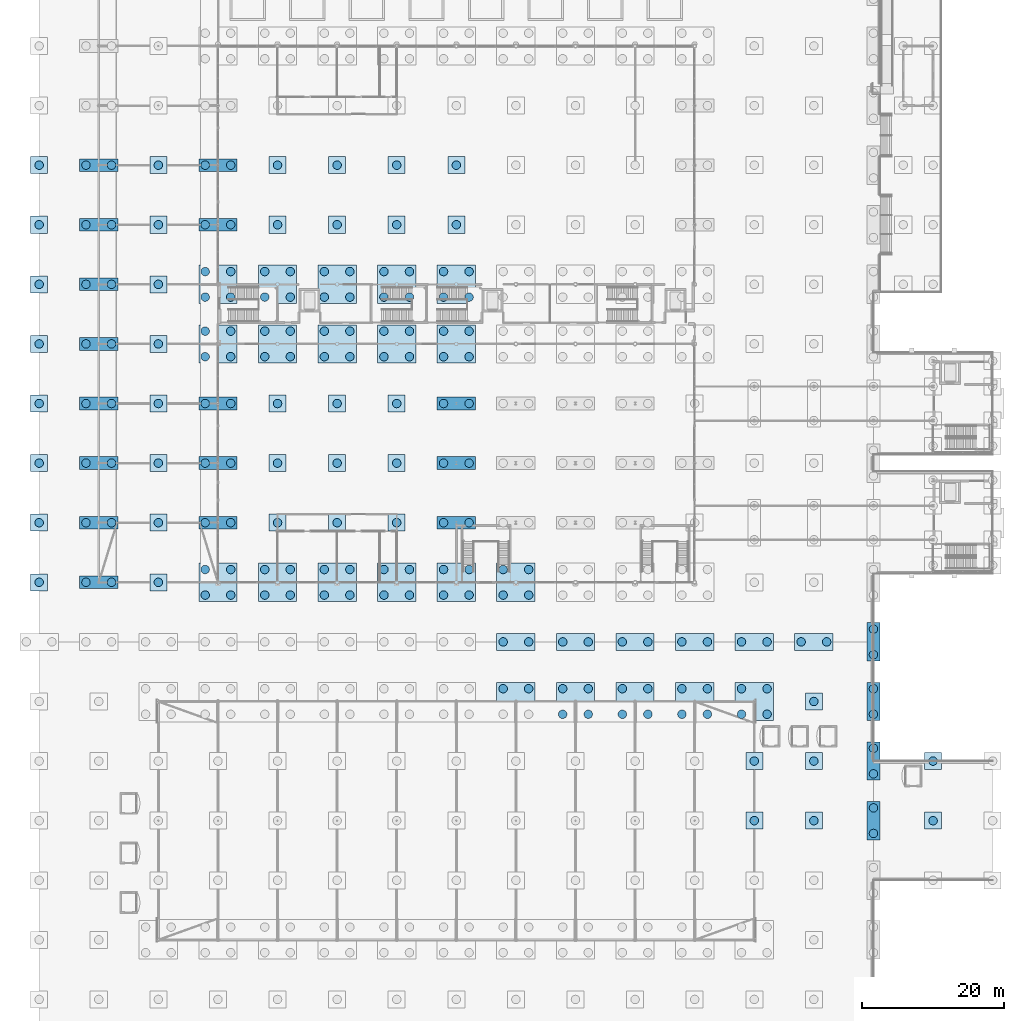
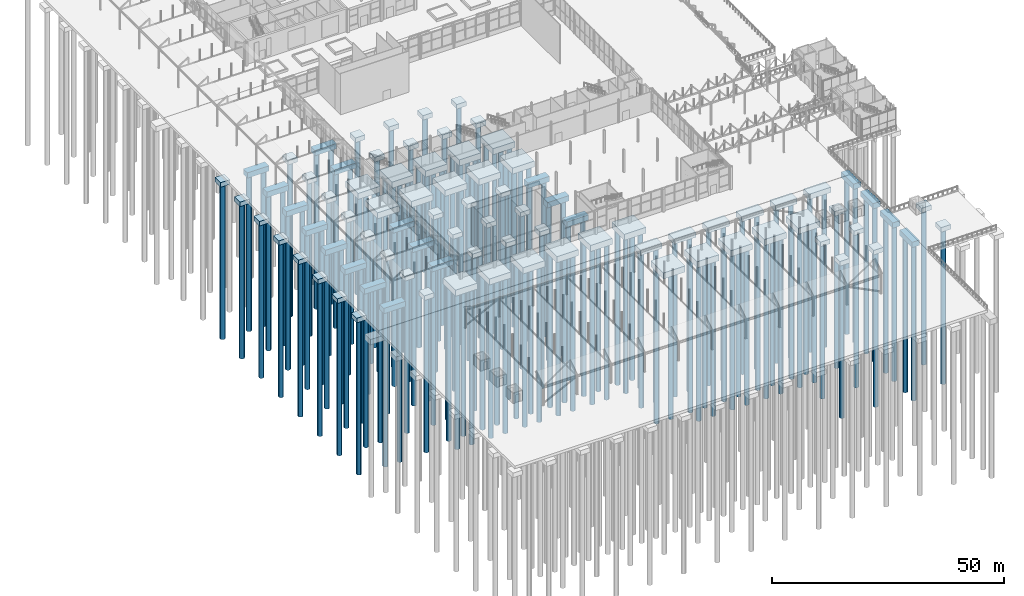
# One storey, part 2 of 212: 174 piles, 87 footings.
"""IFC4 building model written with IfcOpenShell, lengths in metres."""

from ifc_helpers import new_model, si_unit, direction, frame, origin, origin_2d, place, context, subcontext, project, spatial, rectangle, circle, extrude, material, material_profile, profile_set, type_object, element, save


model = new_model("IFC4")

# Units and contexts
model_context = context("Model", 3, precision=1e-05, world=origin(), true_north=direction((0.0, 1.0)))
body_context = subcontext(model_context, "Body", "Model", "MODEL_VIEW")
ifc_project = project(units=[si_unit("LENGTHUNIT", "METRE"), si_unit("AREAUNIT", "SQUARE_METRE"), si_unit("VOLUMEUNIT", "CUBIC_METRE"), si_unit("PLANEANGLEUNIT", "RADIAN"), si_unit("MASSUNIT", "GRAM", prefix="KILO")], contexts=[model_context])

# Site, building, storey
site_placement = place(None, origin())
site = spatial("IfcSite", under=ifc_project, at=site_placement, CompositionType="ELEMENT")
building_placement = place(site_placement, origin())
building = spatial("IfcBuilding", under=site, at=building_placement, Name="Catenary Quay Ferry Terminal", CompositionType="ELEMENT")
storey_placement = place(building_placement, origin())
storey = spatial("IfcBuildingStorey", under=building, at=storey_placement, Name="L00", CompositionType="ELEMENT", Elevation=0.0)

# Piles
ifc_material_1 = material(Name="Concrete C35/45", Category="concrete")
ifc_material_profile = material_profile(ifc_material_1, circle(Radius=0.60009765625, at=origin_2d()), Name="D1200")
ifc_profile_set = profile_set([ifc_material_profile], Name="Concrete C35/45")
pile_type = type_object("IfcPileType", Name="Bored pile D1200", PredefinedType="BORED", material=ifc_profile_set)
for number, where, z_axis, x_axis, name in (
    (1, (100.800048828125, 33.60009765625, -1.89990234375), (0.0, 0.0, -1.0), (1.0, 0.0, 0.0), "Pile PC1-M5/1"),
    (2, (109.199951171875, 33.60009765625, -1.89990234375), (0.0, 0.0, -1.0), (1.0, 0.0, 0.0), "Pile PC1-N5/1"),
    (3, (117.60009765625, 31.800048828125, -2.10009765625), (0.0, 0.0, -1.0), (1.0, 0.0, 0.0), "Pile PC2-O5/1"),
    (4, (117.60009765625, 35.39990234375, -2.10009765625), (0.0, 0.0, -1.0), (1.0, 0.0, 0.0), "Pile PC2-O5/2"),
    (5, (100.800048828125, 42.0, -1.89990234375), (0.0, 0.0, -1.0), (1.0, 0.0, 0.0), "Pile PC1-M6/1"),
    (6, (109.199951171875, 42.0, -1.89990234375), (0.0, 0.0, -1.0), (1.0, 0.0, 0.0), "Pile PC1-N6/1"),
    (7, (117.60009765625, 40.199951171875, -2.10009765625), (0.0, 0.0, -1.0), (1.0, 0.0, 0.0), "Pile PC2-O6/1"),
    (8, (117.60009765625, 43.800048828125, -2.10009765625), (0.0, 0.0, -1.0), (1.0, 0.0, 0.0), "Pile PC2-O6/2"),
    (9, (65.39990234375, 52.199951171875, -2.300048828125), (0.0, 0.0, -1.0), (1.0, 0.0, 0.0), "Pile PC4-I7/3"),
    (10, (69.0, 52.199951171875, -2.300048828125), (0.0, 0.0, -1.0), (1.0, 0.0, 0.0), "Pile PC4-I7/4"),
    (11, (73.800048828125, 48.60009765625, -2.300048828125), (0.0, 0.0, -1.0), (1.0, 0.0, 0.0), "Pile PC4-J7/1"),
    (12, (77.39990234375, 48.60009765625, -2.300048828125), (0.0, 0.0, -1.0), (1.0, 0.0, 0.0), "Pile PC4-J7/2"),
    (13, (73.800048828125, 52.199951171875, -2.300048828125), (0.0, 0.0, -1.0), (1.0, 0.0, 0.0), "Pile PC4-J7/3"),
    (14, (77.39990234375, 52.199951171875, -2.300048828125), (0.0, 0.0, -1.0), (1.0, 0.0, 0.0), "Pile PC4-J7/4"),
    (15, (82.199951171875, 48.60009765625, -2.300048828125), (0.0, 0.0, -1.0), (1.0, 0.0, 0.0), "Pile PC4-K7/1"),
    (16, (85.800048828125, 48.60009765625, -2.300048828125), (0.0, 0.0, -1.0), (1.0, 0.0, 0.0), "Pile PC4-K7/2"),
    (17, (82.199951171875, 52.199951171875, -2.300048828125), (0.0, 0.0, -1.0), (1.0, 0.0, 0.0), "Pile PC4-K7/3"),
    (18, (85.800048828125, 52.199951171875, -2.300048828125), (0.0, 0.0, -1.0), (1.0, 0.0, 0.0), "Pile PC4-K7/4"),
    (19, (90.60009765625, 48.60009765625, -2.300048828125), (0.0, 0.0, -1.0), (1.0, 0.0, 0.0), "Pile PC4-L7/1"),
    (20, (94.199951171875, 48.60009765625, -2.300048828125), (0.0, 0.0, -1.0), (1.0, 0.0, 0.0), "Pile PC4-L7/2"),
    (21, (90.60009765625, 52.199951171875, -2.300048828125), (0.0, 0.0, -1.0), (1.0, 0.0, 0.0), "Pile PC4-L7/3"),
    (22, (94.199951171875, 52.199951171875, -2.300048828125), (0.0, 0.0, -1.0), (1.0, 0.0, 0.0), "Pile PC4-L7/4"),
    (23, (99.0, 48.60009765625, -2.300048828125), (0.0, 0.0, -1.0), (1.0, 0.0, 0.0), "Pile PC4-M7/1"),
    (24, (102.60009765625, 48.60009765625, -2.300048828125), (0.0, 0.0, -1.0), (1.0, 0.0, 0.0), "Pile PC4-M7/2"),
    (25, (99.0, 52.199951171875, -2.300048828125), (0.0, 0.0, -1.0), (1.0, 0.0, 0.0), "Pile PC4-M7/3"),
    (26, (102.60009765625, 52.199951171875, -2.300048828125), (0.0, 0.0, -1.0), (1.0, 0.0, 0.0), "Pile PC4-M7/4"),
    (27, (109.199951171875, 50.39990234375, -1.89990234375), (0.0, 0.0, -1.0), (1.0, 0.0, 0.0), "Pile PC1-N7/1"),
    (28, (117.60009765625, 48.60009765625, -2.10009765625), (0.0, 0.0, -1.0), (1.0, 0.0, 0.0), "Pile PC2-O7/1"),
    (29, (117.60009765625, 52.199951171875, -2.10009765625), (0.0, 0.0, -1.0), (1.0, 0.0, 0.0), "Pile PC2-O7/2"),
    (30, (65.39990234375, 58.800048828125, -2.10009765625), (0.0, 0.0, -1.0), (1.0, 0.0, 0.0), "Pile PC2J-I8/1"),
    (31, (69.0, 58.800048828125, -2.10009765625), (0.0, 0.0, -1.0), (1.0, 0.0, 0.0), "Pile PC2J-I8/2"),
    (32, (73.800048828125, 58.800048828125, -2.10009765625), (0.0, 0.0, -1.0), (1.0, 0.0, 0.0), "Pile PC2J-J8/1"),
    (33, (77.39990234375, 58.800048828125, -2.10009765625), (0.0, 0.0, -1.0), (1.0, 0.0, 0.0), "Pile PC2J-J8/2"),
    (34, (82.199951171875, 58.800048828125, -2.10009765625), (0.0, 0.0, -1.0), (1.0, 0.0, 0.0), "Pile PC2J-K8/1"),
    (35, (85.800048828125, 58.800048828125, -2.10009765625), (0.0, 0.0, -1.0), (1.0, 0.0, 0.0), "Pile PC2J-K8/2"),
    (36, (90.60009765625, 58.800048828125, -2.10009765625), (0.0, 0.0, -1.0), (1.0, 0.0, 0.0), "Pile PC2J-L8/1"),
    (37, (94.199951171875, 58.800048828125, -2.10009765625), (0.0, 0.0, -1.0), (1.0, 0.0, 0.0), "Pile PC2J-L8/2"),
    (38, (99.0, 58.800048828125, -2.10009765625), (0.0, 0.0, -1.0), (1.0, 0.0, 0.0), "Pile PC2J-M8/1"),
    (39, (102.60009765625, 58.800048828125, -2.10009765625), (0.0, 0.0, -1.0), (1.0, 0.0, 0.0), "Pile PC2J-M8/2"),
    (40, (107.39990234375, 58.800048828125, -2.10009765625), (0.0, 0.0, -1.0), (1.0, 0.0, 0.0), "Pile PC2J-N8/1"),
    (41, (111.0, 58.800048828125, -2.10009765625), (0.0, 0.0, -1.0), (1.0, 0.0, 0.0), "Pile PC2J-N8/2"),
    (42, (117.60009765625, 57.0, -2.10009765625), (0.0, 0.0, -1.0), (1.0, 0.0, 0.0), "Pile PC2-O8/1"),
    (43, (117.60009765625, 60.60009765625, -2.10009765625), (0.0, 0.0, -1.0), (1.0, 0.0, 0.0), "Pile PC2-O8/2"),
    (44, (0.0, 67.199951171875, -1.89990234375), (0.0, 0.0, -1.0), (1.0, 0.0, 0.0), "Pile PC1-A9/1"),
    (45, (6.60009765625, 67.199951171875, -2.10009765625), (0.0, 0.0, -1.0), (1.0, 0.0, 0.0), "Pile PC2-B9/1"),
    (46, (10.199951171875, 67.199951171875, -2.10009765625), (0.0, 0.0, -1.0), (1.0, 0.0, 0.0), "Pile PC2-B9/2"),
    (47, (16.800048828125, 67.199951171875, -1.89990234375), (0.0, 0.0, -1.0), (1.0, 0.0, 0.0), "Pile PC1-C9/1"),
    (48, (23.39990234375, 65.39990234375, -2.300048828125), (0.0, 0.0, -1.0), (1.0, 0.0, 0.0), "Pile PC4-D9/1"),
    (49, (27.0, 65.39990234375, -2.300048828125), (0.0, 0.0, -1.0), (1.0, 0.0, 0.0), "Pile PC4-D9/2"),
    (50, (23.39990234375, 69.0, -2.300048828125), (0.0, 0.0, -1.0), (1.0, 0.0, 0.0), "Pile PC4-D9/3"),
    (51, (27.0, 69.0, -2.300048828125), (0.0, 0.0, -1.0), (1.0, 0.0, 0.0), "Pile PC4-D9/4"),
    (52, (31.800048828125, 65.39990234375, -2.300048828125), (0.0, 0.0, -1.0), (1.0, 0.0, 0.0), "Pile PC4-E9/1"),
    (53, (35.39990234375, 65.39990234375, -2.300048828125), (0.0, 0.0, -1.0), (1.0, 0.0, 0.0), "Pile PC4-E9/2"),
    (54, (31.800048828125, 69.0, -2.300048828125), (0.0, 0.0, -1.0), (1.0, 0.0, 0.0), "Pile PC4-E9/3"),
    (55, (35.39990234375, 69.0, -2.300048828125), (0.0, 0.0, -1.0), (1.0, 0.0, 0.0), "Pile PC4-E9/4"),
    (56, (40.199951171875, 65.39990234375, -2.300048828125), (0.0, 0.0, -1.0), (1.0, 0.0, 0.0), "Pile PC4-F9/1"),
    (57, (43.800048828125, 65.39990234375, -2.300048828125), (0.0, 0.0, -1.0), (1.0, 0.0, 0.0), "Pile PC4-F9/2"),
    (58, (40.199951171875, 69.0, -2.300048828125), (0.0, 0.0, -1.0), (1.0, 0.0, 0.0), "Pile PC4-F9/3"),
    (59, (43.800048828125, 69.0, -2.300048828125), (0.0, 0.0, -1.0), (1.0, 0.0, 0.0), "Pile PC4-F9/4"),
    (60, (48.60009765625, 65.39990234375, -2.300048828125), (0.0, 0.0, -1.0), (1.0, 0.0, 0.0), "Pile PC4-G9/1"),
    (61, (52.199951171875, 65.39990234375, -2.300048828125), (0.0, 0.0, -1.0), (1.0, 0.0, 0.0), "Pile PC4-G9/2"),
    (62, (48.60009765625, 69.0, -2.300048828125), (0.0, 0.0, -1.0), (1.0, 0.0, 0.0), "Pile PC4-G9/3"),
    (63, (52.199951171875, 69.0, -2.300048828125), (0.0, 0.0, -1.0), (1.0, 0.0, 0.0), "Pile PC4-G9/4"),
    (64, (57.0, 65.39990234375, -2.300048828125), (0.0, 0.0, -1.0), (1.0, 0.0, 0.0), "Pile PC4-H9/1"),
    (65, (60.60009765625, 65.39990234375, -2.300048828125), (0.0, 0.0, -1.0), (1.0, 0.0, 0.0), "Pile PC4-H9/2"),
    (66, (57.0, 69.0, -2.300048828125), (0.0, 0.0, -1.0), (1.0, 0.0, 0.0), "Pile PC4-H9/3"),
    (67, (60.60009765625, 69.0, -2.300048828125), (0.0, 0.0, -1.0), (1.0, 0.0, 0.0), "Pile PC4-H9/4"),
    (68, (65.39990234375, 65.39990234375, -2.300048828125), (0.0, 0.0, -1.0), (1.0, 0.0, 0.0), "Pile PC4-I9/1"),
    (69, (69.0, 65.39990234375, -2.300048828125), (0.0, 0.0, -1.0), (1.0, 0.0, 0.0), "Pile PC4-I9/2"),
    (70, (65.39990234375, 69.0, -2.300048828125), (0.0, 0.0, -1.0), (1.0, 0.0, 0.0), "Pile PC4-I9/3"),
    (71, (69.0, 69.0, -2.300048828125), (0.0, 0.0, -1.0), (1.0, 0.0, 0.0), "Pile PC4-I9/4"),
    (72, (0.0, 75.60009765625, -1.89990234375), (0.0, 0.0, -1.0), (1.0, 0.0, 0.0), "Pile PC1-A10/1"),
    (73, (6.60009765625, 75.60009765625, -2.10009765625), (0.0, 0.0, -1.0), (1.0, 0.0, 0.0), "Pile PC2-B10/1"),
    (74, (10.199951171875, 75.60009765625, -2.10009765625), (0.0, 0.0, -1.0), (1.0, 0.0, 0.0), "Pile PC2-B10/2"),
    (75, (16.800048828125, 75.60009765625, -1.89990234375), (0.0, 0.0, -1.0), (1.0, 0.0, 0.0), "Pile PC1-C10/1"),
    (76, (23.39990234375, 75.60009765625, -2.10009765625), (0.0, 0.0, -1.0), (1.0, 0.0, 0.0), "Pile PC2-D10/1"),
    (77, (27.0, 75.60009765625, -2.10009765625), (0.0, 0.0, -1.0), (1.0, 0.0, 0.0), "Pile PC2-D10/2"),
    (78, (33.60009765625, 75.60009765625, -1.89990234375), (0.0, 0.0, -1.0), (1.0, 0.0, 0.0), "Pile PC1-E10/1"),
    (79, (42.0, 75.60009765625, -1.89990234375), (0.0, 0.0, -1.0), (1.0, 0.0, 0.0), "Pile PC1-F10/1"),
    (80, (50.39990234375, 75.60009765625, -1.89990234375), (0.0, 0.0, -1.0), (1.0, 0.0, 0.0), "Pile PC1-G10/1"),
    (81, (57.0, 75.60009765625, -2.10009765625), (0.0, 0.0, -1.0), (1.0, 0.0, 0.0), "Pile PC2-H10/1"),
    (82, (60.60009765625, 75.60009765625, -2.10009765625), (0.0, 0.0, -1.0), (1.0, 0.0, 0.0), "Pile PC2-H10/2"),
    (83, (0.0, 84.0, -1.89990234375), (0.0, 0.0, -1.0), (1.0, 0.0, 0.0), "Pile PC1-A11/1"),
    (84, (6.60009765625, 84.0, -2.10009765625), (0.0, 0.0, -1.0), (1.0, 0.0, 0.0), "Pile PC2-B11/1"),
    (85, (10.199951171875, 84.0, -2.10009765625), (0.0, 0.0, -1.0), (1.0, 0.0, 0.0), "Pile PC2-B11/2"),
    (86, (16.800048828125, 84.0, -1.89990234375), (0.0, 0.0, -1.0), (1.0, 0.0, 0.0), "Pile PC1-C11/1"),
    (87, (23.39990234375, 84.0, -2.10009765625), (0.0, 0.0, -1.0), (1.0, 0.0, 0.0), "Pile PC2-D11/1"),
    (88, (27.0, 84.0, -2.10009765625), (0.0, 0.0, -1.0), (1.0, 0.0, 0.0), "Pile PC2-D11/2"),
    (89, (33.60009765625, 84.0, -1.89990234375), (0.0, 0.0, -1.0), (1.0, 0.0, 0.0), "Pile PC1-E11/1"),
    (90, (42.0, 84.0, -1.89990234375), (0.0, 0.0, -1.0), (1.0, 0.0, 0.0), "Pile PC1-F11/1"),
    (91, (50.39990234375, 84.0, -1.89990234375), (0.0, 0.0, -1.0), (1.0, 0.0, 0.0), "Pile PC1-G11/1"),
    (92, (57.0, 84.0, -2.10009765625), (0.0, 0.0, -1.0), (1.0, 0.0, 0.0), "Pile PC2-H11/1"),
    (93, (60.60009765625, 84.0, -2.10009765625), (0.0, 0.0, -1.0), (1.0, 0.0, 0.0), "Pile PC2-H11/2"),
    (94, (0.0, 92.39990234375, -1.89990234375), (0.0, 0.0, -1.0), (1.0, 0.0, 0.0), "Pile PC1-A12/1"),
    (95, (6.60009765625, 92.39990234375, -2.10009765625), (0.0, 0.0, -1.0), (1.0, 0.0, 0.0), "Pile PC2-B12/1"),
    (96, (10.199951171875, 92.39990234375, -2.10009765625), (0.0, 0.0, -1.0), (1.0, 0.0, 0.0), "Pile PC2-B12/2"),
    (97, (16.800048828125, 92.39990234375, -1.89990234375), (0.0, 0.0, -1.0), (1.0, 0.0, 0.0), "Pile PC1-C12/1"),
    (98, (23.39990234375, 92.39990234375, -2.10009765625), (0.0, 0.0, -1.0), (1.0, 0.0, 0.0), "Pile PC2-D12/1"),
    (99, (27.0, 92.39990234375, -2.10009765625), (0.0, 0.0, -1.0), (1.0, 0.0, 0.0), "Pile PC2-D12/2"),
    (100, (33.60009765625, 92.39990234375, -1.89990234375), (0.0, 0.0, -1.0), (1.0, 0.0, 0.0), "Pile PC1-E12/1"),
    (101, (42.0, 92.39990234375, -1.89990234375), (0.0, 0.0, -1.0), (1.0, 0.0, 0.0), "Pile PC1-F12/1"),
    (102, (50.39990234375, 92.39990234375, -1.89990234375), (0.0, 0.0, -1.0), (1.0, 0.0, 0.0), "Pile PC1-G12/1"),
    (103, (57.0, 92.39990234375, -2.10009765625), (0.0, 0.0, -1.0), (1.0, 0.0, 0.0), "Pile PC2-H12/1"),
    (104, (60.60009765625, 92.39990234375, -2.10009765625), (0.0, 0.0, -1.0), (1.0, 0.0, 0.0), "Pile PC2-H12/2"),
    (105, (0.0, 100.800048828125, -1.89990234375), (0.0, 0.0, -1.0), (1.0, 0.0, 0.0), "Pile PC1-A13/1"),
    (106, (6.60009765625, 100.800048828125, -2.10009765625), (0.0, 0.0, -1.0), (1.0, 0.0, 0.0), "Pile PC2-B13/1"),
    (107, (10.199951171875, 100.800048828125, -2.10009765625), (0.0, 0.0, -1.0), (1.0, 0.0, 0.0), "Pile PC2-B13/2"),
    (108, (16.800048828125, 100.800048828125, -1.89990234375), (0.0, 0.0, -1.0), (1.0, 0.0, 0.0), "Pile PC1-C13/1"),
    (109, (23.39990234375, 99.0, -2.300048828125), (0.0, 0.0, -1.0), (1.0, 0.0, 0.0), "Pile PC4-D13/1"),
    (110, (27.0, 99.0, -2.300048828125), (0.0, 0.0, -1.0), (1.0, 0.0, 0.0), "Pile PC4-D13/2"),
    (111, (23.39990234375, 102.60009765625, -2.300048828125), (0.0, 0.0, -1.0), (1.0, 0.0, 0.0), "Pile PC4-D13/3"),
    (112, (27.0, 102.60009765625, -2.300048828125), (0.0, 0.0, -1.0), (1.0, 0.0, 0.0), "Pile PC4-D13/4"),
    (113, (31.800048828125, 99.0, -2.300048828125), (0.0, 0.0, -1.0), (1.0, 0.0, 0.0), "Pile PC4-E13/1"),
    (114, (35.39990234375, 99.0, -2.300048828125), (0.0, 0.0, -1.0), (1.0, 0.0, 0.0), "Pile PC4-E13/2"),
    (115, (31.800048828125, 102.60009765625, -2.300048828125), (0.0, 0.0, -1.0), (1.0, 0.0, 0.0), "Pile PC4-E13/3"),
    (116, (35.39990234375, 102.60009765625, -2.300048828125), (0.0, 0.0, -1.0), (1.0, 0.0, 0.0), "Pile PC4-E13/4"),
    (117, (40.199951171875, 99.0, -2.300048828125), (0.0, 0.0, -1.0), (1.0, 0.0, 0.0), "Pile PC4-F13/1"),
    (118, (43.800048828125, 99.0, -2.300048828125), (0.0, 0.0, -1.0), (1.0, 0.0, 0.0), "Pile PC4-F13/2"),
    (119, (40.199951171875, 102.60009765625, -2.300048828125), (0.0, 0.0, -1.0), (1.0, 0.0, 0.0), "Pile PC4-F13/3"),
    (120, (43.800048828125, 102.60009765625, -2.300048828125), (0.0, 0.0, -1.0), (1.0, 0.0, 0.0), "Pile PC4-F13/4"),
    (121, (48.60009765625, 99.0, -2.300048828125), (0.0, 0.0, -1.0), (1.0, 0.0, 0.0), "Pile PC4-G13/1"),
    (122, (52.199951171875, 99.0, -2.300048828125), (0.0, 0.0, -1.0), (1.0, 0.0, 0.0), "Pile PC4-G13/2"),
    (123, (48.60009765625, 102.60009765625, -2.300048828125), (0.0, 0.0, -1.0), (1.0, 0.0, 0.0), "Pile PC4-G13/3"),
    (124, (52.199951171875, 102.60009765625, -2.300048828125), (0.0, 0.0, -1.0), (1.0, 0.0, 0.0), "Pile PC4-G13/4"),
    (125, (57.0, 99.0, -2.300048828125), (0.0, 0.0, -1.0), (1.0, 0.0, 0.0), "Pile PC4-H13/1"),
    (126, (60.60009765625, 99.0, -2.300048828125), (0.0, 0.0, -1.0), (1.0, 0.0, 0.0), "Pile PC4-H13/2"),
    (127, (57.0, 102.60009765625, -2.300048828125), (0.0, 0.0, -1.0), (1.0, 0.0, 0.0), "Pile PC4-H13/3"),
    (128, (60.60009765625, 102.60009765625, -2.300048828125), (0.0, 0.0, -1.0), (1.0, 0.0, 0.0), "Pile PC4-H13/4"),
    (129, (0.0, 109.199951171875, -1.89990234375), (0.0, 0.0, -1.0), (1.0, 0.0, 0.0), "Pile PC1-A14/1"),
    (130, (6.60009765625, 109.199951171875, -2.10009765625), (0.0, 0.0, -1.0), (1.0, 0.0, 0.0), "Pile PC2-B14/1"),
    (131, (10.199951171875, 109.199951171875, -2.10009765625), (0.0, 0.0, -1.0), (1.0, 0.0, 0.0), "Pile PC2-B14/2"),
    (132, (16.800048828125, 109.199951171875, -1.89990234375), (0.0, 0.0, -1.0), (1.0, 0.0, 0.0), "Pile PC1-C14/1"),
    (133, (23.39990234375, 107.39990234375, -2.300048828125), (0.0, 0.0, -1.0), (1.0, 0.0, 0.0), "Pile PC4-D14/1"),
    (134, (27.0, 107.39990234375, -2.300048828125), (0.0, 0.0, -1.0), (1.0, 0.0, 0.0), "Pile PC4-D14/2"),
    (135, (23.39990234375, 111.0, -2.300048828125), (0.0, 0.0, -1.0), (1.0, 0.0, 0.0), "Pile PC4-D14/3"),
    (136, (27.0, 111.0, -2.300048828125), (0.0, 0.0, -1.0), (1.0, 0.0, 0.0), "Pile PC4-D14/4"),
    (137, (31.800048828125, 107.39990234375, -2.300048828125), (0.0, 0.0, -1.0), (1.0, 0.0, 0.0), "Pile PC4-E14/1"),
    (138, (35.39990234375, 107.39990234375, -2.300048828125), (0.0, 0.0, -1.0), (1.0, 0.0, 0.0), "Pile PC4-E14/2"),
    (139, (31.800048828125, 111.0, -2.300048828125), (0.0, 0.0, -1.0), (1.0, 0.0, 0.0), "Pile PC4-E14/3"),
    (140, (35.39990234375, 111.0, -2.300048828125), (0.0, 0.0, -1.0), (1.0, 0.0, 0.0), "Pile PC4-E14/4"),
    (141, (40.199951171875, 107.39990234375, -2.300048828125), (0.0, 0.0, -1.0), (1.0, 0.0, 0.0), "Pile PC4-F14/1"),
    (142, (43.800048828125, 107.39990234375, -2.300048828125), (0.0, 0.0, -1.0), (1.0, 0.0, 0.0), "Pile PC4-F14/2"),
    (143, (40.199951171875, 111.0, -2.300048828125), (0.0, 0.0, -1.0), (1.0, 0.0, 0.0), "Pile PC4-F14/3"),
    (144, (43.800048828125, 111.0, -2.300048828125), (0.0, 0.0, -1.0), (1.0, 0.0, 0.0), "Pile PC4-F14/4"),
    (145, (48.60009765625, 107.39990234375, -2.300048828125), (0.0, 0.0, -1.0), (1.0, 0.0, 0.0), "Pile PC4-G14/1"),
    (146, (52.199951171875, 107.39990234375, -2.300048828125), (0.0, 0.0, -1.0), (1.0, 0.0, 0.0), "Pile PC4-G14/2"),
    (147, (48.60009765625, 111.0, -2.300048828125), (0.0, 0.0, -1.0), (1.0, 0.0, 0.0), "Pile PC4-G14/3"),
    (148, (52.199951171875, 111.0, -2.300048828125), (0.0, 0.0, -1.0), (1.0, 0.0, 0.0), "Pile PC4-G14/4"),
    (149, (57.0, 107.39990234375, -2.300048828125), (0.0, 0.0, -1.0), (1.0, 0.0, 0.0), "Pile PC4-H14/1"),
    (150, (60.60009765625, 107.39990234375, -2.300048828125), (0.0, 0.0, -1.0), (1.0, 0.0, 0.0), "Pile PC4-H14/2"),
    (151, (57.0, 111.0, -2.300048828125), (0.0, 0.0, -1.0), (1.0, 0.0, 0.0), "Pile PC4-H14/3"),
    (152, (60.60009765625, 111.0, -2.300048828125), (0.0, 0.0, -1.0), (1.0, 0.0, 0.0), "Pile PC4-H14/4"),
    (153, (0.0, 117.60009765625, -1.89990234375), (0.0, 0.0, -1.0), (1.0, 0.0, 0.0), "Pile PC1-A15/1"),
    (154, (6.60009765625, 117.60009765625, -2.10009765625), (0.0, 0.0, -1.0), (1.0, 0.0, 0.0), "Pile PC2-B15/1"),
    (155, (10.199951171875, 117.60009765625, -2.10009765625), (0.0, 0.0, -1.0), (1.0, 0.0, 0.0), "Pile PC2-B15/2"),
    (156, (16.800048828125, 117.60009765625, -1.89990234375), (0.0, 0.0, -1.0), (1.0, 0.0, 0.0), "Pile PC1-C15/1"),
    (157, (23.39990234375, 117.60009765625, -2.10009765625), (0.0, 0.0, -1.0), (1.0, 0.0, 0.0), "Pile PC2-D15/1"),
    (158, (27.0, 117.60009765625, -2.10009765625), (0.0, 0.0, -1.0), (1.0, 0.0, 0.0), "Pile PC2-D15/2"),
    (159, (33.60009765625, 117.60009765625, -1.89990234375), (0.0, 0.0, -1.0), (1.0, 0.0, 0.0), "Pile PC1-E15/1"),
    (160, (42.0, 117.60009765625, -1.89990234375), (0.0, 0.0, -1.0), (1.0, 0.0, 0.0), "Pile PC1-F15/1"),
    (161, (50.39990234375, 117.60009765625, -1.89990234375), (0.0, 0.0, -1.0), (1.0, 0.0, 0.0), "Pile PC1-G15/1"),
    (162, (58.800048828125, 117.60009765625, -1.89990234375), (0.0, 0.0, -1.0), (1.0, 0.0, 0.0), "Pile PC1-H15/1"),
    (163, (0.0, 126.0, -1.89990234375), (0.0, 0.0, -1.0), (1.0, 0.0, 0.0), "Pile PC1-A16/1"),
    (164, (6.60009765625, 126.0, -2.10009765625), (0.0, 0.0, -1.0), (1.0, 0.0, 0.0), "Pile PC2-B16/1"),
    (165, (10.199951171875, 126.0, -2.10009765625), (0.0, 0.0, -1.0), (1.0, 0.0, 0.0), "Pile PC2-B16/2"),
    (166, (16.800048828125, 126.0, -1.89990234375), (0.0, 0.0, -1.0), (1.0, 0.0, 0.0), "Pile PC1-C16/1"),
    (167, (23.39990234375, 126.0, -2.10009765625), (0.0, 0.0, -1.0), (1.0, 0.0, 0.0), "Pile PC2-D16/1"),
    (168, (27.0, 126.0, -2.10009765625), (0.0, 0.0, -1.0), (1.0, 0.0, 0.0), "Pile PC2-D16/2"),
    (169, (33.60009765625, 126.0, -1.89990234375), (0.0, 0.0, -1.0), (1.0, 0.0, 0.0), "Pile PC1-E16/1"),
    (170, (42.0, 126.0, -1.89990234375), (0.0, 0.0, -1.0), (1.0, 0.0, 0.0), "Pile PC1-F16/1"),
    (171, (50.39990234375, 126.0, -1.89990234375), (0.0, 0.0, -1.0), (1.0, 0.0, 0.0), "Pile PC1-G16/1"),
    (172, (58.800048828125, 126.0, -1.89990234375), (0.0, 0.0, -1.0), (1.0, 0.0, 0.0), "Pile PC1-H16/1"),
    (173, (126.0, 33.60009765625, -1.800048828125), (0.0, 0.0, -1.0), (1.0, 0.0, 0.0), "Pile PC1-BVP5/1"),
    (174, (126.0, 42.0, -1.800048828125), (0.0, 0.0, -1.0), (1.0, 0.0, 0.0), "Pile PC1-BVP6/1"),
):
    element("IfcPile", number, at=place(storey_placement, frame(where, z_axis=z_axis, x_axis=x_axis)), inside=storey, type_object=pile_type, Name=name, PredefinedType="BORED", context=body_context, shape_type="SweptSolid", body=[
        extrude(circle(Radius=0.60009765625, at=origin_2d()), origin(), (0.0, 0.0, 1.0), 40.800048828125),
    ])

# Footings
ifc_material_2 = material(Name="Concrete C35/45", Category="concrete")
footing_type_1 = type_object("IfcFootingType", Name="Pile cap PC1", PredefinedType="PILE_CAP", material=ifc_material_2)
for number, where, z_axis, x_axis, name in (
    (175, (100.800048828125, 33.60009765625, -1.89990234375), (0.0, 0.0, 1.0), (1.0, 0.0, 0.0), "Pile cap PC1-M5"),
    (176, (109.199951171875, 33.60009765625, -1.89990234375), (0.0, 0.0, 1.0), (1.0, 0.0, 0.0), "Pile cap PC1-N5"),
    (177, (100.800048828125, 42.0, -1.89990234375), (0.0, 0.0, 1.0), (1.0, 0.0, 0.0), "Pile cap PC1-M6"),
    (178, (109.199951171875, 42.0, -1.89990234375), (0.0, 0.0, 1.0), (1.0, 0.0, 0.0), "Pile cap PC1-N6"),
    (179, (109.199951171875, 50.39990234375, -1.89990234375), (0.0, 0.0, 1.0), (1.0, 0.0, 0.0), "Pile cap PC1-N7"),
    (180, (0.0, 67.199951171875, -1.89990234375), (0.0, 0.0, 1.0), (1.0, 0.0, 0.0), "Pile cap PC1-A9"),
    (181, (16.800048828125, 67.199951171875, -1.89990234375), (0.0, 0.0, 1.0), (1.0, 0.0, 0.0), "Pile cap PC1-C9"),
    (182, (0.0, 75.60009765625, -1.89990234375), (0.0, 0.0, 1.0), (1.0, 0.0, 0.0), "Pile cap PC1-A10"),
    (183, (16.800048828125, 75.60009765625, -1.89990234375), (0.0, 0.0, 1.0), (1.0, 0.0, 0.0), "Pile cap PC1-C10"),
    (184, (33.60009765625, 75.60009765625, -1.89990234375), (0.0, 0.0, 1.0), (1.0, 0.0, 0.0), "Pile cap PC1-E10"),
    (185, (42.0, 75.60009765625, -1.89990234375), (0.0, 0.0, 1.0), (1.0, 0.0, 0.0), "Pile cap PC1-F10"),
    (186, (50.39990234375, 75.60009765625, -1.89990234375), (0.0, 0.0, 1.0), (1.0, 0.0, 0.0), "Pile cap PC1-G10"),
    (187, (0.0, 84.0, -1.89990234375), (0.0, 0.0, 1.0), (1.0, 0.0, 0.0), "Pile cap PC1-A11"),
    (188, (16.800048828125, 84.0, -1.89990234375), (0.0, 0.0, 1.0), (1.0, 0.0, 0.0), "Pile cap PC1-C11"),
    (189, (33.60009765625, 84.0, -1.89990234375), (0.0, 0.0, 1.0), (1.0, 0.0, 0.0), "Pile cap PC1-E11"),
    (190, (42.0, 84.0, -1.89990234375), (0.0, 0.0, 1.0), (1.0, 0.0, 0.0), "Pile cap PC1-F11"),
    (191, (50.39990234375, 84.0, -1.89990234375), (0.0, 0.0, 1.0), (1.0, 0.0, 0.0), "Pile cap PC1-G11"),
    (192, (0.0, 92.39990234375, -1.89990234375), (0.0, 0.0, 1.0), (1.0, 0.0, 0.0), "Pile cap PC1-A12"),
    (193, (16.800048828125, 92.39990234375, -1.89990234375), (0.0, 0.0, 1.0), (1.0, 0.0, 0.0), "Pile cap PC1-C12"),
    (194, (33.60009765625, 92.39990234375, -1.89990234375), (0.0, 0.0, 1.0), (1.0, 0.0, 0.0), "Pile cap PC1-E12"),
    (195, (42.0, 92.39990234375, -1.89990234375), (0.0, 0.0, 1.0), (1.0, 0.0, 0.0), "Pile cap PC1-F12"),
    (196, (50.39990234375, 92.39990234375, -1.89990234375), (0.0, 0.0, 1.0), (1.0, 0.0, 0.0), "Pile cap PC1-G12"),
    (197, (0.0, 100.800048828125, -1.89990234375), (0.0, 0.0, 1.0), (1.0, 0.0, 0.0), "Pile cap PC1-A13"),
    (198, (16.800048828125, 100.800048828125, -1.89990234375), (0.0, 0.0, 1.0), (1.0, 0.0, 0.0), "Pile cap PC1-C13"),
    (199, (0.0, 109.199951171875, -1.89990234375), (0.0, 0.0, 1.0), (1.0, 0.0, 0.0), "Pile cap PC1-A14"),
    (200, (16.800048828125, 109.199951171875, -1.89990234375), (0.0, 0.0, 1.0), (1.0, 0.0, 0.0), "Pile cap PC1-C14"),
    (201, (0.0, 117.60009765625, -1.89990234375), (0.0, 0.0, 1.0), (1.0, 0.0, 0.0), "Pile cap PC1-A15"),
    (202, (16.800048828125, 117.60009765625, -1.89990234375), (0.0, 0.0, 1.0), (1.0, 0.0, 0.0), "Pile cap PC1-C15"),
    (203, (33.60009765625, 117.60009765625, -1.89990234375), (0.0, 0.0, 1.0), (1.0, 0.0, 0.0), "Pile cap PC1-E15"),
    (204, (42.0, 117.60009765625, -1.89990234375), (0.0, 0.0, 1.0), (1.0, 0.0, 0.0), "Pile cap PC1-F15"),
    (205, (50.39990234375, 117.60009765625, -1.89990234375), (0.0, 0.0, 1.0), (1.0, 0.0, 0.0), "Pile cap PC1-G15"),
    (206, (58.800048828125, 117.60009765625, -1.89990234375), (0.0, 0.0, 1.0), (1.0, 0.0, 0.0), "Pile cap PC1-H15"),
    (207, (0.0, 126.0, -1.89990234375), (0.0, 0.0, 1.0), (1.0, 0.0, 0.0), "Pile cap PC1-A16"),
    (208, (16.800048828125, 126.0, -1.89990234375), (0.0, 0.0, 1.0), (1.0, 0.0, 0.0), "Pile cap PC1-C16"),
    (209, (33.60009765625, 126.0, -1.89990234375), (0.0, 0.0, 1.0), (1.0, 0.0, 0.0), "Pile cap PC1-E16"),
    (210, (42.0, 126.0, -1.89990234375), (0.0, 0.0, 1.0), (1.0, 0.0, 0.0), "Pile cap PC1-F16"),
    (211, (50.39990234375, 126.0, -1.89990234375), (0.0, 0.0, 1.0), (1.0, 0.0, 0.0), "Pile cap PC1-G16"),
    (212, (58.800048828125, 126.0, -1.89990234375), (0.0, 0.0, 1.0), (1.0, 0.0, 0.0), "Pile cap PC1-H16"),
    (213, (126.0, 33.60009765625, -1.7998046875), (0.0, 0.0, 1.0), (1.0, 0.0, 0.0), "Pile cap PC1-BVP5"),
    (214, (126.0, 42.0, -1.7998046875), (0.0, 0.0, 1.0), (1.0, 0.0, 0.0), "Pile cap PC1-BVP6"),
):
    element("IfcFooting", number, at=place(storey_placement, frame(where, z_axis=z_axis, x_axis=x_axis)), inside=storey, type_object=footing_type_1, Name=name, PredefinedType="PILE_CAP", context=body_context, shape_type="SweptSolid", body=[
        extrude(rectangle(XDim=2.39990234375, YDim=2.39990234375, at=origin_2d()), origin(), (0.0, 0.0, 1.0), 1.199951171875),
    ])
ifc_material_3 = material(Name="Concrete C35/45", Category="concrete")
footing_type_2 = type_object("IfcFootingType", Name="Pile cap PC2", PredefinedType="PILE_CAP", material=ifc_material_3)
for number, where, z_axis, x_axis, name in (
    (215, (117.60009765625, 33.60009765625, -2.099853515625), (0.0, 0.0, 1.0), (1.0, 0.0, 0.0), "Pile cap PC2-O5"),
    (216, (117.60009765625, 42.0, -2.099853515625), (0.0, 0.0, 1.0), (1.0, 0.0, 0.0), "Pile cap PC2-O6"),
    (217, (117.60009765625, 50.39990234375, -2.099853515625), (0.0, 0.0, 1.0), (1.0, 0.0, 0.0), "Pile cap PC2-O7"),
    (218, (117.60009765625, 58.800048828125, -2.099853515625), (0.0, 0.0, 1.0), (1.0, 0.0, 0.0), "Pile cap PC2-O8"),
):
    element("IfcFooting", number, at=place(storey_placement, frame(where, z_axis=z_axis, x_axis=x_axis)), inside=storey, type_object=footing_type_2, Name=name, PredefinedType="PILE_CAP", context=body_context, shape_type="SweptSolid", body=[
        extrude(rectangle(XDim=1.800048828125, YDim=5.39990234375, at=origin_2d()), origin(), (0.0, 0.0, 1.0), 1.39990234375),
    ])
for number, where, z_axis, x_axis, name in (
    (219, (8.39990234375, 67.199951171875, -2.099853515625), (0.0, 0.0, 1.0), (1.0, 0.0, 0.0), "Pile cap PC2-B9"),
    (220, (8.39990234375, 75.60009765625, -2.099853515625), (0.0, 0.0, 1.0), (1.0, 0.0, 0.0), "Pile cap PC2-B10"),
    (221, (25.199951171875, 75.60009765625, -2.099853515625), (0.0, 0.0, 1.0), (1.0, 0.0, 0.0), "Pile cap PC2-D10"),
    (222, (58.800048828125, 75.60009765625, -2.099853515625), (0.0, 0.0, 1.0), (1.0, 0.0, 0.0), "Pile cap PC2-H10"),
    (223, (8.39990234375, 84.0, -2.099853515625), (0.0, 0.0, 1.0), (1.0, 0.0, 0.0), "Pile cap PC2-B11"),
    (224, (25.199951171875, 84.0, -2.099853515625), (0.0, 0.0, 1.0), (1.0, 0.0, 0.0), "Pile cap PC2-D11"),
    (225, (58.800048828125, 84.0, -2.099853515625), (0.0, 0.0, 1.0), (1.0, 0.0, 0.0), "Pile cap PC2-H11"),
    (226, (8.39990234375, 92.39990234375, -2.099853515625), (0.0, 0.0, 1.0), (1.0, 0.0, 0.0), "Pile cap PC2-B12"),
    (227, (25.199951171875, 92.39990234375, -2.099853515625), (0.0, 0.0, 1.0), (1.0, 0.0, 0.0), "Pile cap PC2-D12"),
    (228, (58.800048828125, 92.39990234375, -2.099853515625), (0.0, 0.0, 1.0), (1.0, 0.0, 0.0), "Pile cap PC2-H12"),
    (229, (8.39990234375, 100.800048828125, -2.099853515625), (0.0, 0.0, 1.0), (1.0, 0.0, 0.0), "Pile cap PC2-B13"),
    (230, (8.39990234375, 109.199951171875, -2.099853515625), (0.0, 0.0, 1.0), (1.0, 0.0, 0.0), "Pile cap PC2-B14"),
    (231, (8.39990234375, 117.60009765625, -2.099853515625), (0.0, 0.0, 1.0), (1.0, 0.0, 0.0), "Pile cap PC2-B15"),
    (232, (25.199951171875, 117.60009765625, -2.099853515625), (0.0, 0.0, 1.0), (1.0, 0.0, 0.0), "Pile cap PC2-D15"),
    (233, (8.39990234375, 126.0, -2.099853515625), (0.0, 0.0, 1.0), (1.0, 0.0, 0.0), "Pile cap PC2-B16"),
    (234, (25.199951171875, 126.0, -2.099853515625), (0.0, 0.0, 1.0), (1.0, 0.0, 0.0), "Pile cap PC2-D16"),
):
    element("IfcFooting", number, at=place(storey_placement, frame(where, z_axis=z_axis, x_axis=x_axis)), inside=storey, type_object=footing_type_2, Name=name, PredefinedType="PILE_CAP", context=body_context, shape_type="SweptSolid", body=[
        extrude(rectangle(XDim=5.39990234375, YDim=1.800048828125, at=origin_2d()), origin(), (0.0, 0.0, 1.0), 1.39990234375),
    ])
ifc_material_4 = material(Name="Concrete C35/45", Category="concrete")
footing_type_3 = type_object("IfcFootingType", Name="Pile cap PC2J", PredefinedType="PILE_CAP", material=ifc_material_4)
for number, where, z_axis, x_axis, name in (
    (235, (67.199951171875, 58.800048828125, -2.099853515625), (0.0, 0.0, 1.0), (1.0, 0.0, 0.0), "Pile cap PC2J-I8"),
    (236, (75.60009765625, 58.800048828125, -2.099853515625), (0.0, 0.0, 1.0), (1.0, 0.0, 0.0), "Pile cap PC2J-J8"),
    (237, (84.0, 58.800048828125, -2.099853515625), (0.0, 0.0, 1.0), (1.0, 0.0, 0.0), "Pile cap PC2J-K8"),
    (238, (92.39990234375, 58.800048828125, -2.099853515625), (0.0, 0.0, 1.0), (1.0, 0.0, 0.0), "Pile cap PC2J-L8"),
    (239, (100.800048828125, 58.800048828125, -2.099853515625), (0.0, 0.0, 1.0), (1.0, 0.0, 0.0), "Pile cap PC2J-M8"),
    (240, (109.199951171875, 58.800048828125, -2.099853515625), (0.0, 0.0, 1.0), (1.0, 0.0, 0.0), "Pile cap PC2J-N8"),
):
    element("IfcFooting", number, at=place(storey_placement, frame(where, z_axis=z_axis, x_axis=x_axis)), inside=storey, type_object=footing_type_3, Name=name, PredefinedType="PILE_CAP", context=body_context, shape_type="SweptSolid", body=[
        extrude(rectangle(XDim=5.39990234375, YDim=2.39990234375, at=origin_2d()), origin(), (0.0, 0.0, 1.0), 1.39990234375),
    ])
ifc_material_5 = material(Name="Concrete C35/45", Category="concrete")
footing_type_4 = type_object("IfcFootingType", Name="Pile cap PC4", PredefinedType="PILE_CAP", material=ifc_material_5)
for number, where, z_axis, x_axis, name in (
    (241, (67.199951171875, 50.39990234375, -2.300048828125), (0.0, 0.0, 1.0), (1.0, 0.0, 0.0), "Pile cap PC4-I7"),
    (242, (75.60009765625, 50.39990234375, -2.300048828125), (0.0, 0.0, 1.0), (1.0, 0.0, 0.0), "Pile cap PC4-J7"),
    (243, (84.0, 50.39990234375, -2.300048828125), (0.0, 0.0, 1.0), (1.0, 0.0, 0.0), "Pile cap PC4-K7"),
    (244, (92.39990234375, 50.39990234375, -2.300048828125), (0.0, 0.0, 1.0), (1.0, 0.0, 0.0), "Pile cap PC4-L7"),
    (245, (100.800048828125, 50.39990234375, -2.300048828125), (0.0, 0.0, 1.0), (1.0, 0.0, 0.0), "Pile cap PC4-M7"),
    (246, (25.199951171875, 67.199951171875, -2.300048828125), (0.0, 0.0, 1.0), (1.0, 0.0, 0.0), "Pile cap PC4-D9"),
    (247, (33.60009765625, 67.199951171875, -2.300048828125), (0.0, 0.0, 1.0), (1.0, 0.0, 0.0), "Pile cap PC4-E9"),
    (248, (42.0, 67.199951171875, -2.300048828125), (0.0, 0.0, 1.0), (1.0, 0.0, 0.0), "Pile cap PC4-F9"),
    (249, (50.39990234375, 67.199951171875, -2.300048828125), (0.0, 0.0, 1.0), (1.0, 0.0, 0.0), "Pile cap PC4-G9"),
    (250, (58.800048828125, 67.199951171875, -2.300048828125), (0.0, 0.0, 1.0), (1.0, 0.0, 0.0), "Pile cap PC4-H9"),
    (251, (67.199951171875, 67.199951171875, -2.300048828125), (0.0, 0.0, 1.0), (1.0, 0.0, 0.0), "Pile cap PC4-I9"),
    (252, (25.199951171875, 100.800048828125, -2.300048828125), (0.0, 0.0, 1.0), (1.0, 0.0, 0.0), "Pile cap PC4-D13"),
    (253, (33.60009765625, 100.800048828125, -2.300048828125), (0.0, 0.0, 1.0), (1.0, 0.0, 0.0), "Pile cap PC4-E13"),
    (254, (42.0, 100.800048828125, -2.300048828125), (0.0, 0.0, 1.0), (1.0, 0.0, 0.0), "Pile cap PC4-F13"),
    (255, (50.39990234375, 100.800048828125, -2.300048828125), (0.0, 0.0, 1.0), (1.0, 0.0, 0.0), "Pile cap PC4-G13"),
    (256, (58.800048828125, 100.800048828125, -2.300048828125), (0.0, 0.0, 1.0), (1.0, 0.0, 0.0), "Pile cap PC4-H13"),
    (257, (25.199951171875, 109.199951171875, -2.300048828125), (0.0, 0.0, 1.0), (1.0, 0.0, 0.0), "Pile cap PC4-D14"),
    (258, (33.60009765625, 109.199951171875, -2.300048828125), (0.0, 0.0, 1.0), (1.0, 0.0, 0.0), "Pile cap PC4-E14"),
    (259, (42.0, 109.199951171875, -2.300048828125), (0.0, 0.0, 1.0), (1.0, 0.0, 0.0), "Pile cap PC4-F14"),
    (260, (50.39990234375, 109.199951171875, -2.300048828125), (0.0, 0.0, 1.0), (1.0, 0.0, 0.0), "Pile cap PC4-G14"),
    (261, (58.800048828125, 109.199951171875, -2.300048828125), (0.0, 0.0, 1.0), (1.0, 0.0, 0.0), "Pile cap PC4-H14"),
):
    element("IfcFooting", number, at=place(storey_placement, frame(where, z_axis=z_axis, x_axis=x_axis)), inside=storey, type_object=footing_type_4, Name=name, PredefinedType="PILE_CAP", context=body_context, shape_type="SweptSolid", body=[
        extrude(rectangle(XDim=5.39990234375, YDim=5.39990234375, at=origin_2d()), origin(), (0.0, 0.0, 1.0), 1.60009765625),
    ])

save(model, "model.ifc")
